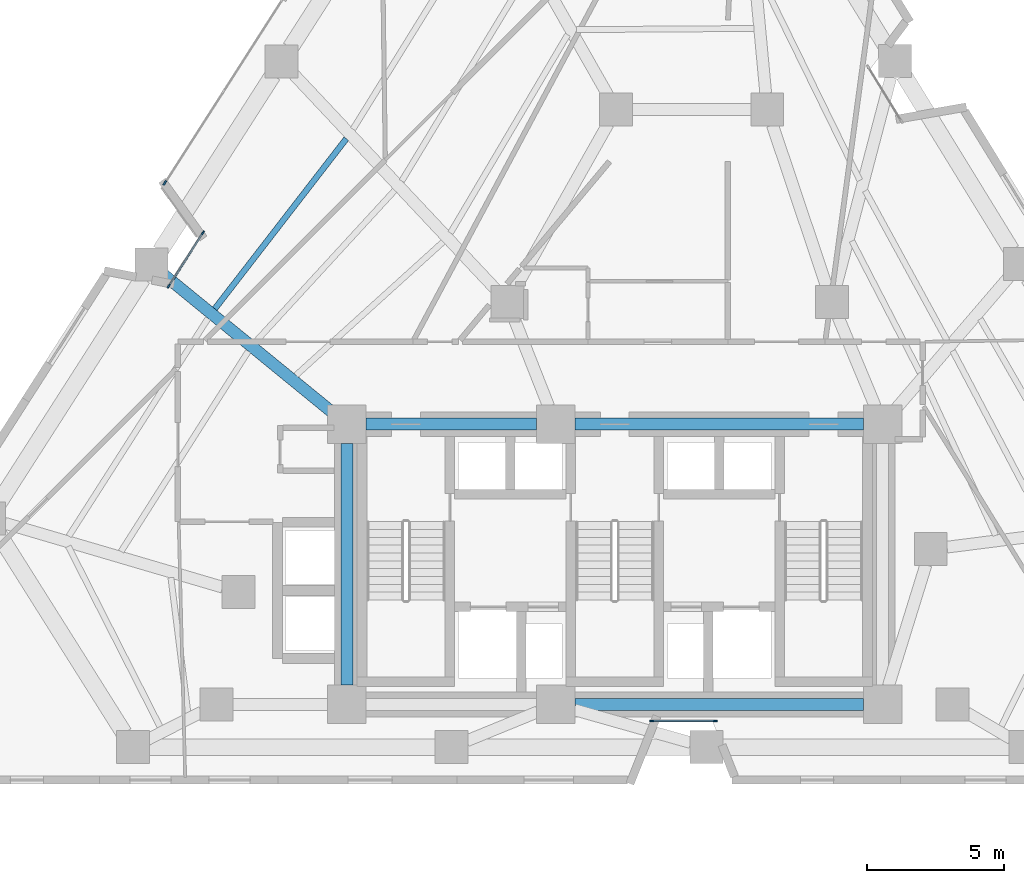
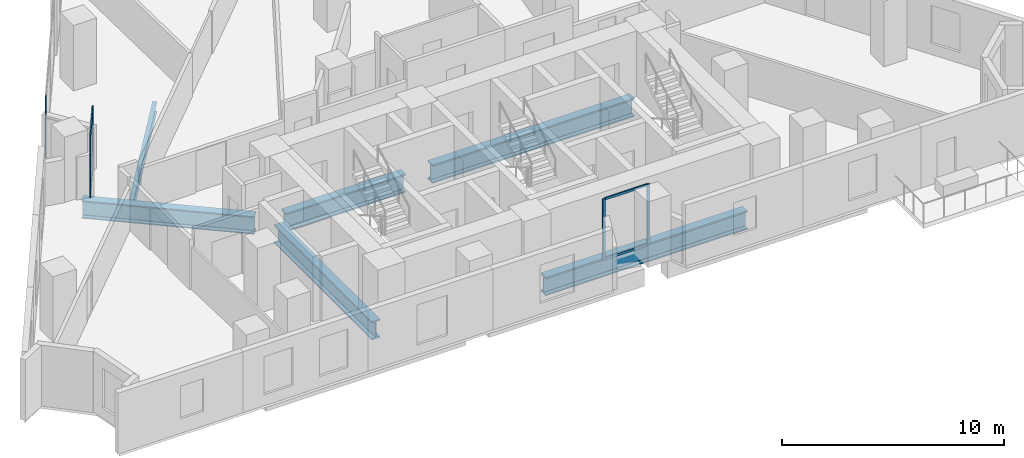
# One storey, part 2 of 12: 9 members, 6 beams, 3 elements without a shape of their own.
"""IFC4 building model written with IfcOpenShell, lengths in metres."""

from ifc_helpers import new_model, si_unit, direction, frame, origin, origin_2d, place, context, subcontext, project, spatial, rectangle, i_section, extrude, material, layer, layer_set, material_profile, profile_set, type_object, element, aggregate, save


model = new_model("IFC4")

# Units and contexts
model_context = context("Model", 3, precision=1e-05, world=origin(), true_north=direction((0.0, 1.0)))
body_context = subcontext(model_context, "Body", "Model", "MODEL_VIEW")
ifc_project = project(units=[si_unit("LENGTHUNIT", "METRE"), si_unit("AREAUNIT", "SQUARE_METRE"), si_unit("VOLUMEUNIT", "CUBIC_METRE"), si_unit("PLANEANGLEUNIT", "RADIAN"), si_unit("MASSUNIT", "GRAM", prefix="KILO")], contexts=[model_context])

# Site, building, storey
site_placement = place(None, origin())
site = spatial("IfcSite", under=ifc_project, at=site_placement, CompositionType="ELEMENT")
building_placement = place(site_placement, origin())
building = spatial("IfcBuilding", under=site, at=building_placement, Name="Almagre Mirador Tower", CompositionType="ELEMENT")
storey_placement = place(building_placement, frame((0.0, 0.0, 93.0)))
storey = spatial("IfcBuildingStorey", under=building, at=storey_placement, Name="L23", CompositionType="ELEMENT", Elevation=93.0)

# Beams
ifc_material_1 = material(Name="Steel ASTM A992 Grade 50", Category="steel")
ifc_material_profile_1 = material_profile(ifc_material_1, i_section(OverallWidth=0.214111328125, OverallDepth=0.549072265625, WebThickness=0.0146484375, FlangeThickness=0.023681640625, FilletRadius=0.01806640625, at=origin_2d()), Name="W21X93")
ifc_profile_set_1 = profile_set([ifc_material_profile_1], Name="Steel ASTM A992 Grade 50")
beam_type_1 = type_object("IfcBeamType", Name="BM-JST-W21X93", PredefinedType="JOIST", material=ifc_profile_set_1)
beam_1_placement = place(storey_placement, frame((27.530029296875, 25.1376953125, -0.5244140625), z_axis=(-0.611727324998, -0.791068694773, 0.0), x_axis=(0.791068694773, -0.611727324998, 0.0)))
element("IfcBeam", 1, at=beam_1_placement, inside=storey, type_object=beam_type_1, Name="L23 secondary floor joist PC10-PC11.1", PredefinedType="JOIST", context=body_context, shape_type="SweptSolid", body=[
    extrude(i_section(OverallWidth=0.214111328125, OverallDepth=0.549072265625, WebThickness=0.0146484375, FlangeThickness=0.023681640625, FilletRadius=0.01806640625, at=origin_2d()), origin(), (0.0, 0.0, 1.0), 7.82080078125),
])
ifc_material_2 = material(Name="Steel ASTM A992 Grade 50", Category="steel")
ifc_material_profile_2 = material_profile(ifc_material_2, i_section(OverallWidth=0.427978515625, OverallDepth=0.97509765625, WebThickness=0.031005859375, FlangeThickness=0.055908203125, FilletRadius=0.028076171875, at=origin_2d()), Name="W36X395")
ifc_profile_set_2 = profile_set([ifc_material_profile_2], Name="Steel ASTM A992 Grade 50")
beam_type_2 = type_object("IfcBeamType", Name="BM-STL-W36X395", PredefinedType="BEAM", material=ifc_profile_set_2)
beam_2_placement = place(storey_placement, frame((20.90673828125, 20.177490234375, -0.737548828125), z_axis=(0.774403065798, -0.632692572805, 0.0), x_axis=(0.632692572805, 0.774403065798, 0.0)))
element("IfcBeam", 2, at=beam_2_placement, inside=storey, type_object=beam_type_2, Name="L23 radial floor girder PC11-CC4", PredefinedType="BEAM", context=body_context, shape_type="SweptSolid", body=[
    extrude(i_section(OverallWidth=0.427978515625, OverallDepth=0.97509765625, WebThickness=0.031005859375, FlangeThickness=0.055908203125, FilletRadius=0.028076171875, at=origin_2d()), origin(), (0.0, 0.0, 1.0), 7.87841796875),
])
ifc_material_3 = material(Name="Steel ASTM A992 Grade 50", Category="steel")
ifc_material_profile_3 = material_profile(ifc_material_3, i_section(OverallWidth=0.43701171875, OverallDepth=1.010986328125, WebThickness=0.041015625, FlangeThickness=0.073974609375, FilletRadius=0.028076171875, at=origin_2d()), Name="W36X529")
ifc_profile_set_3 = profile_set([ifc_material_profile_3], Name="Steel ASTM A992 Grade 50")
beam_type_3 = type_object("IfcBeamType", Name="BM-STL-W36X529", PredefinedType="BEAM", material=ifc_profile_set_3)
beam_3_placement = place(storey_placement, frame((35.85009765625, 4.550048828125, -0.755615234375), z_axis=(1.0, 0.0, 0.0), x_axis=(0.0, 1.0, 0.0)))
element("IfcBeam", 3, at=beam_3_placement, inside=storey, type_object=beam_type_3, Name="L23 core tie girder CC2-CC3", PredefinedType="BEAM", context=body_context, shape_type="SweptSolid", body=[
    extrude(i_section(OverallWidth=0.43701171875, OverallDepth=1.010986328125, WebThickness=0.041015625, FlangeThickness=0.073974609375, FilletRadius=0.028076171875, at=origin_2d()), origin(), (0.0, 0.0, 1.0), 10.5),
])
beam_4_placement = place(storey_placement, frame((28.25, 14.75, -0.755615234375), z_axis=(1.0, 0.0, 0.0), x_axis=(0.0, 1.0, 0.0)))
element("IfcBeam", 4, at=beam_4_placement, inside=storey, type_object=beam_type_3, Name="L23 core tie girder CC4-CC5", PredefinedType="BEAM", context=body_context, shape_type="SweptSolid", body=[
    extrude(i_section(OverallWidth=0.43701171875, OverallDepth=1.010986328125, WebThickness=0.041015625, FlangeThickness=0.073974609375, FilletRadius=0.028076171875, at=origin_2d()), origin(), (0.0, 0.0, 1.0), 6.199951171875),
])
beam_5_placement = place(storey_placement, frame((35.85009765625, 14.75, -0.755615234375), z_axis=(1.0, 0.0, 0.0), x_axis=(0.0, 1.0, 0.0)))
element("IfcBeam", 5, at=beam_5_placement, inside=storey, type_object=beam_type_3, Name="L23 core tie girder CC5-CC6", PredefinedType="BEAM", context=body_context, shape_type="SweptSolid", body=[
    extrude(i_section(OverallWidth=0.43701171875, OverallDepth=1.010986328125, WebThickness=0.041015625, FlangeThickness=0.073974609375, FilletRadius=0.028076171875, at=origin_2d()), origin(), (0.0, 0.0, 1.0), 10.5),
])
beam_6_placement = place(storey_placement, frame((27.550048828125, 5.25, -0.755615234375), z_axis=(0.0, 1.0, 0.0), x_axis=(-1.0, 0.0, 0.0)))
element("IfcBeam", 6, at=beam_6_placement, inside=storey, type_object=beam_type_3, Name="L23 core tie girder CC1-CC4", PredefinedType="BEAM", context=body_context, shape_type="SweptSolid", body=[
    extrude(i_section(OverallWidth=0.43701171875, OverallDepth=1.010986328125, WebThickness=0.041015625, FlangeThickness=0.073974609375, FilletRadius=0.028076171875, at=origin_2d()), origin(), (0.0, 0.0, 1.0), 8.800048828125),
])

# Curtain wall, members
ifc_material_4 = material(Name="Black anodized aluminium", Category="aluminium")
ifc_layer_1 = layer(ifc_material_4, 0.169921875)
ifc_layer_set_1 = layer_set([ifc_layer_1], Name="Black anodized aluminium")
curtain_wall_type_1 = type_object("IfcCurtainWallType", Name="CW-CRS-SYS", PredefinedType="NOTDEFINED", material=ifc_layer_set_1)
curtain_wall_1_placement = place(storey_placement, origin())
curtain_wall_1 = element("IfcCurtainWall", 7, at=curtain_wall_1_placement, inside=storey, type_object=curtain_wall_type_1, Name="L23 vertical crease curtain wall 01", PredefinedType="NOTDEFINED")
ifc_material_5 = material(Name="Black anodized aluminium", Category="aluminium")
ifc_material_profile_4 = material_profile(ifc_material_5, rectangle(XDim=0.06005859375, YDim=0.14990234375, at=origin_2d()), Name="CWM60X150")
ifc_profile_set_4 = profile_set([ifc_material_profile_4], Name="Black anodized aluminium")
member_type_1 = type_object("IfcMemberType", Name="MBR-CWM60X150", PredefinedType="MULLION", material=ifc_profile_set_4)
member_1_placement = place(storey_placement, frame((21.067626953125, 19.7724609375, 0.0), z_axis=(0.0, 0.0, 1.0), x_axis=(-0.841947934991, 0.539558777859, 0.0)))
member_1 = element("IfcMember", 8, at=member_1_placement, type_object=member_type_1, Name="CW-4 mullion 1", PredefinedType="MULLION", context=body_context, shape_type="SweptSolid", body=[
    extrude(rectangle(XDim=0.06005859375, YDim=0.14990234375, at=origin_2d()), origin(), (0.0, 0.0, 1.0), 3.35009765625),
])
member_2_placement = place(storey_placement, frame((22.314208984375, 21.717529296875, 0.0), z_axis=(0.0, 0.0, 1.0), x_axis=(-0.841947934991, 0.539558777859, 0.0)))
member_2 = element("IfcMember", 9, at=member_2_placement, type_object=member_type_1, Name="CW-4 mullion 2", PredefinedType="MULLION", context=body_context, shape_type="SweptSolid", body=[
    extrude(rectangle(XDim=0.06005859375, YDim=0.14990234375, at=origin_2d()), origin(), (0.0, 0.0, 1.0), 3.35009765625),
])

curtain_wall_2_placement = place(storey_placement, origin())
curtain_wall_2 = element("IfcCurtainWall", 10, at=curtain_wall_2_placement, inside=storey, type_object=curtain_wall_type_1, Name="L23 vertical crease curtain wall 04", PredefinedType="NOTDEFINED")
member_3_placement = place(storey_placement, frame((40.962890625, 3.949951171875, 0.0), z_axis=(0.0, 0.0, 1.0), x_axis=(0.0, -1.0, 0.0)))
member_3 = element("IfcMember", 11, at=member_3_placement, type_object=member_type_1, Name="CW-4 mullion 1", PredefinedType="MULLION", context=body_context, shape_type="SweptSolid", body=[
    extrude(rectangle(XDim=0.06005859375, YDim=0.14990234375, at=origin_2d()), origin(), (0.0, 0.0, 1.0), 3.35009765625),
])
member_4_placement = place(storey_placement, frame((38.653076171875, 3.949951171875, 0.0), z_axis=(0.0, 0.0, 1.0), x_axis=(0.0, -1.0, 0.0)))
member_4 = element("IfcMember", 12, at=member_4_placement, type_object=member_type_1, Name="CW-4 mullion 2", PredefinedType="MULLION", context=body_context, shape_type="SweptSolid", body=[
    extrude(rectangle(XDim=0.06005859375, YDim=0.14990234375, at=origin_2d()), origin(), (0.0, 0.0, 1.0), 3.35009765625),
])

# Curtain wall, member
ifc_material_6 = material(Name="Black anodized aluminium", Category="aluminium")
ifc_layer_2 = layer(ifc_material_6, 0.18994140625)
ifc_layer_set_2 = layer_set([ifc_layer_2], Name="Black anodized aluminium")
curtain_wall_type_2 = type_object("IfcCurtainWallType", Name="CW-RES-L-SYS", PredefinedType="NOTDEFINED", material=ifc_layer_set_2)
curtain_wall_3_placement = place(storey_placement, origin())
curtain_wall_3 = element("IfcCurtainWall", 13, at=curtain_wall_3_placement, inside=storey, type_object=curtain_wall_type_2, Name="L23 curtain wall run 02", PredefinedType="NOTDEFINED")
ifc_material_7 = material(Name="Black anodized aluminium", Category="aluminium")
ifc_material_profile_5 = material_profile(ifc_material_7, rectangle(XDim=0.06494140625, YDim=0.179931640625, at=origin_2d()), Name="CWM65X180")
ifc_profile_set_5 = profile_set([ifc_material_profile_5], Name="Black anodized aluminium")
member_type_2 = type_object("IfcMemberType", Name="MBR-CWM65X180", PredefinedType="MULLION", material=ifc_profile_set_5)
member_5_placement = place(storey_placement, frame((20.923583984375, 23.53125, 0.0), z_axis=(0.0, 0.0, 1.0), x_axis=(-0.842017047997, 0.539450916101, 0.0)))
member_5 = element("IfcMember", 14, at=member_5_placement, type_object=member_type_2, Name="CW-2 mullion 1", PredefinedType="MULLION", context=body_context, shape_type="SweptSolid", body=[
    extrude(rectangle(XDim=0.06494140625, YDim=0.179931640625, at=origin_2d()), origin(), (0.0, 0.0, 1.0), 3.35009765625),
])
aggregate(curtain_wall_3, [member_5])

# Member
ifc_material_8 = material(Name="Black anodized aluminium", Category="aluminium")
ifc_material_profile_6 = material_profile(ifc_material_8, rectangle(XDim=0.06005859375, YDim=0.1298828125, at=origin_2d()), Name="CWT60X130")
ifc_profile_set_6 = profile_set([ifc_material_profile_6], Name="Black anodized aluminium")
member_type_3 = type_object("IfcMemberType", Name="MBR-CWT60X130", PredefinedType="USERDEFINED", material=ifc_profile_set_6)
member_6_placement = place(storey_placement, frame((21.083984375, 19.797607421875, 0.030029296875), z_axis=(0.539512321275, 0.841977704688, 0.0), x_axis=(-0.841977704688, 0.539512321275, 0.0)))
member_6 = element("IfcMember", 15, at=member_6_placement, type_object=member_type_3, Name="CW-4 transom 1.1", ObjectType="TRANSOM", PredefinedType="USERDEFINED", context=body_context, shape_type="SweptSolid", body=[
    extrude(rectangle(XDim=0.06005859375, YDim=0.1298828125, at=origin_2d()), origin(), (0.0, 0.0, 1.0), 2.25048828125),
])

member_7_placement = place(storey_placement, frame((21.083984375, 19.797607421875, 3.320068359375), z_axis=(0.539512321275, 0.841977704688, 0.0), x_axis=(-0.841977704688, 0.539512321275, 0.0)))
member_7 = element("IfcMember", 16, at=member_7_placement, type_object=member_type_3, Name="CW-4 transom 1.2", ObjectType="TRANSOM", PredefinedType="USERDEFINED", context=body_context, shape_type="SweptSolid", body=[
    extrude(rectangle(XDim=0.06005859375, YDim=0.1298828125, at=origin_2d()), origin(), (0.0, 0.0, 1.0), 2.25048828125),
])

aggregate(curtain_wall_1, [member_1, member_2, member_6, member_7])

member_8_placement = place(storey_placement, frame((40.93310546875, 3.949951171875, 0.030029296875), z_axis=(-1.0, 0.0, 0.0), x_axis=(0.0, -1.0, 0.0)))
member_8 = element("IfcMember", 17, at=member_8_placement, type_object=member_type_3, Name="CW-4 transom 1.1", ObjectType="TRANSOM", PredefinedType="USERDEFINED", context=body_context, shape_type="SweptSolid", body=[
    extrude(rectangle(XDim=0.06005859375, YDim=0.1298828125, at=origin_2d()), origin(), (0.0, 0.0, 1.0), 2.25),
])

member_9_placement = place(storey_placement, frame((40.93310546875, 3.949951171875, 3.320068359375), z_axis=(-1.0, 0.0, 0.0), x_axis=(0.0, -1.0, 0.0)))
member_9 = element("IfcMember", 18, at=member_9_placement, type_object=member_type_3, Name="CW-4 transom 1.2", ObjectType="TRANSOM", PredefinedType="USERDEFINED", context=body_context, shape_type="SweptSolid", body=[
    extrude(rectangle(XDim=0.06005859375, YDim=0.1298828125, at=origin_2d()), origin(), (0.0, 0.0, 1.0), 2.25),
])

aggregate(curtain_wall_2, [member_3, member_4, member_8, member_9])

save(model, "model.ifc")
